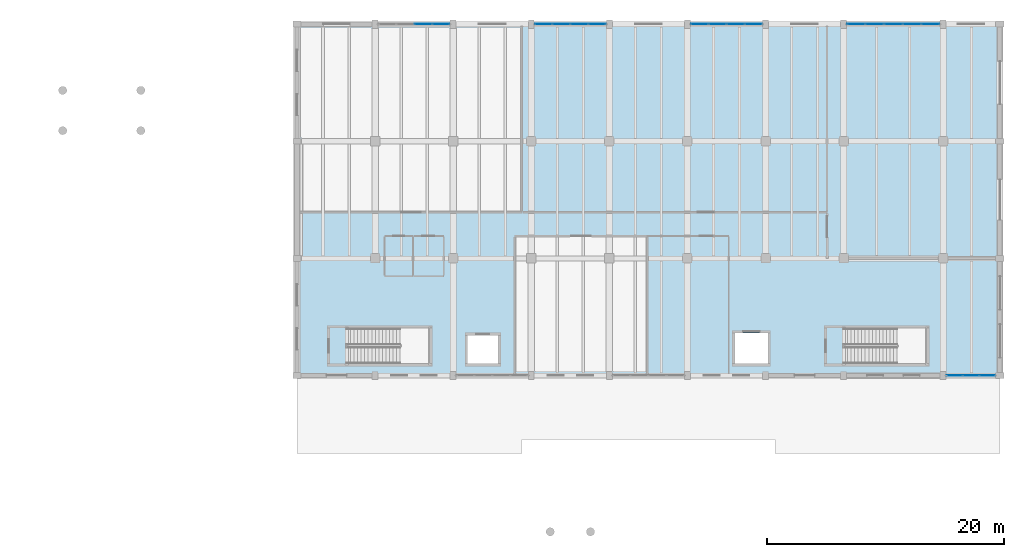
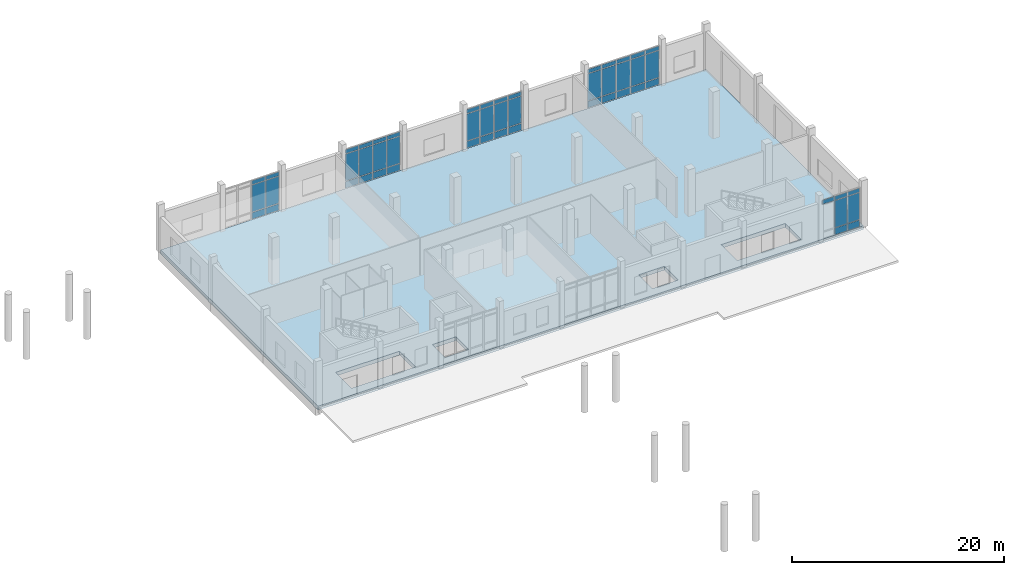
# One storey, part 38 of 72: 52 plates, 1 slab, 5 elements without a shape of their own.
"""IFC4 building model written with IfcOpenShell, lengths in metres."""

from ifc_helpers import new_model, si_unit, direction, frame, origin, origin_2d, place, context, subcontext, project, spatial, polyline, rectangle, outline, extrude, material, layer, layer_set, type_object, element, aggregate, save


model = new_model("IFC4")

# Units and contexts
model_context = context("Model", 3, precision=1e-05, world=origin(), true_north=direction((0.0, 1.0)))
body_context = subcontext(model_context, "Body", "Model", "MODEL_VIEW")
ifc_project = project(units=[si_unit("LENGTHUNIT", "METRE"), si_unit("AREAUNIT", "SQUARE_METRE"), si_unit("VOLUMEUNIT", "CUBIC_METRE"), si_unit("PLANEANGLEUNIT", "RADIAN"), si_unit("MASSUNIT", "GRAM", prefix="KILO")], contexts=[model_context])

# Site, building, storey
site_placement = place(None, origin())
site = spatial("IfcSite", under=ifc_project, at=site_placement, CompositionType="ELEMENT")
building_placement = place(site_placement, origin())
building = spatial("IfcBuilding", under=site, at=building_placement, Name="Dornvale Research Institute", CompositionType="ELEMENT")
storey_placement = place(building_placement, origin())
storey = spatial("IfcBuildingStorey", under=building, at=storey_placement, Name="L00", CompositionType="ELEMENT", Elevation=0.0)

# Slab
ifc_material_1 = material(Name="Concrete f'c 40 MPa (C32/40)", Category="concrete")
ifc_layer_1 = layer(ifc_material_1, 0.43994140625)
ifc_layer_set_1 = layer_set([ifc_layer_1], Name="Concrete f'c 40 MPa (C32/40)")
slab_type = type_object("IfcSlabType", Name="BaseSlab_RC440", PredefinedType="BASESLAB", material=ifc_layer_set_1)
slab_placement = place(storey_placement, frame((0.0, 0.0, -0.43994140625)))
element("IfcSlab", 1, at=slab_placement, inside=storey, type_object=slab_type, Name="L00 V4 structural base slab", PredefinedType="BASESLAB", context=body_context, shape_type="SweptSolid", body=[
    extrude(outline(polyline([(118.800048828125, 92.39990234375), (178.199951171875, 92.39990234375), (178.199951171875, 122.10009765625), (118.800048828125, 122.10009765625), (118.800048828125, 92.39990234375)]), holes=[polyline([(123.02001953125, 93.39990234375), (130.0, 93.39990234375), (130.0, 96.39990234375), (123.02001953125, 96.39990234375), (123.02001953125, 93.39990234375)]), polyline([(165.02001953125, 93.39990234375), (172.0, 93.39990234375), (172.0, 96.39990234375), (165.02001953125, 96.39990234375), (165.02001953125, 93.39990234375)]), polyline([(133.199951171875, 93.39990234375), (135.800048828125, 93.39990234375), (135.800048828125, 95.800048828125), (133.199951171875, 95.800048828125), (133.199951171875, 93.39990234375)]), polyline([(155.800048828125, 93.39990234375), (158.60009765625, 93.39990234375), (158.60009765625, 96.0), (155.800048828125, 96.0), (155.800048828125, 93.39990234375)])]), origin(), (0.0, 0.0, 1.0), 0.43994140625),
])

# Curtain wall, plates
ifc_material_2 = material(Name="Low-E Argon Double Insulating Glazing Unit", Category="glass")
curtain_wall_type_1 = type_object("IfcCurtainWallType", Name="UnitisedCurtainWall_V4_6100x4550", PredefinedType="USERDEFINED", material=ifc_material_2)
curtain_wall_1_placement = place(storey_placement, origin())
curtain_wall_1 = element("IfcCurtainWall", 2, at=curtain_wall_1_placement, inside=storey, type_object=curtain_wall_type_1, Name="L00 V4 unitised curtain wall CW-08 #66", ObjectType="UNITISED CURTAIN WALL", PredefinedType="USERDEFINED")
ifc_material_3 = material(Name="Insulated Ceramic-Frit Spandrel Glass Panel", Category="glass")
ifc_layer_2 = layer(ifc_material_3, 0.0419921875)
ifc_layer_set_2 = layer_set([ifc_layer_2], Name="Insulated Ceramic-Frit Spandrel Glass Panel")
plate_type_1 = type_object("IfcPlateType", Name="CurtainPanel_Spandrel_42", PredefinedType="CURTAIN_PANEL", material=ifc_layer_set_2)
plate_1_placement = place(storey_placement, frame((129.46240234375, 122.10009765625, 0.06494140625), z_axis=(0.0, 0.0, 1.0), x_axis=(1.0, 0.0, 0.0)))
plate_1 = element("IfcPlate", 3, at=plate_1_placement, type_object=plate_type_1, Name="CW-08 panel 3.1", PredefinedType="CURTAIN_PANEL", context=body_context, shape_type="SweptSolid", body=[
    extrude(rectangle(XDim=1.4599609375, YDim=0.0419921875, at=origin_2d()), origin(), (0.0, 0.0, 1.0), 0.75244140625),
])
plate_2_placement = place(storey_placement, frame((130.97119140625, 122.10009765625, 0.06494140625), z_axis=(0.0, 0.0, 1.0), x_axis=(1.0, 0.0, 0.0)))
plate_2 = element("IfcPlate", 4, at=plate_2_placement, type_object=plate_type_1, Name="CW-08 panel 4.1", PredefinedType="CURTAIN_PANEL", context=body_context, shape_type="SweptSolid", body=[
    extrude(rectangle(XDim=1.427490234375, YDim=0.0419921875, at=origin_2d()), origin(), (0.0, 0.0, 1.0), 0.75244140625),
])

curtain_wall_2_placement = place(storey_placement, origin())
curtain_wall_2 = element("IfcCurtainWall", 5, at=curtain_wall_2_placement, inside=storey, type_object=curtain_wall_type_1, Name="L00 V4 unitised curtain wall CW-08 #67", ObjectType="UNITISED CURTAIN WALL", PredefinedType="USERDEFINED")
plate_3_placement = place(storey_placement, frame((139.628662109375, 122.10009765625, 0.06494140625), z_axis=(0.0, 0.0, 1.0), x_axis=(1.0, 0.0, 0.0)))
plate_3 = element("IfcPlate", 6, at=plate_3_placement, type_object=plate_type_1, Name="CW-08 panel 1.1", PredefinedType="CURTAIN_PANEL", context=body_context, shape_type="SweptSolid", body=[
    extrude(rectangle(XDim=1.427490234375, YDim=0.0419921875, at=origin_2d()), origin(), (0.0, 0.0, 1.0), 0.75244140625),
])
plate_4_placement = place(storey_placement, frame((141.137451171875, 122.10009765625, 0.06494140625), z_axis=(0.0, 0.0, 1.0), x_axis=(1.0, 0.0, 0.0)))
plate_4 = element("IfcPlate", 7, at=plate_4_placement, type_object=plate_type_1, Name="CW-08 panel 2.1", PredefinedType="CURTAIN_PANEL", context=body_context, shape_type="SweptSolid", body=[
    extrude(rectangle(XDim=1.4599609375, YDim=0.0419921875, at=origin_2d()), origin(), (0.0, 0.0, 1.0), 0.75244140625),
])
plate_5_placement = place(storey_placement, frame((142.66259765625, 122.10009765625, 0.06494140625), z_axis=(0.0, 0.0, 1.0), x_axis=(1.0, 0.0, 0.0)))
plate_5 = element("IfcPlate", 8, at=plate_5_placement, type_object=plate_type_1, Name="CW-08 panel 3.1", PredefinedType="CURTAIN_PANEL", context=body_context, shape_type="SweptSolid", body=[
    extrude(rectangle(XDim=1.4599609375, YDim=0.0419921875, at=origin_2d()), origin(), (0.0, 0.0, 1.0), 0.75244140625),
])
plate_6_placement = place(storey_placement, frame((144.171142578125, 122.10009765625, 0.06494140625), z_axis=(0.0, 0.0, 1.0), x_axis=(1.0, 0.0, 0.0)))
plate_6 = element("IfcPlate", 9, at=plate_6_placement, type_object=plate_type_1, Name="CW-08 panel 4.1", PredefinedType="CURTAIN_PANEL", context=body_context, shape_type="SweptSolid", body=[
    extrude(rectangle(XDim=1.427490234375, YDim=0.0419921875, at=origin_2d()), origin(), (0.0, 0.0, 1.0), 0.75244140625),
])

curtain_wall_3_placement = place(storey_placement, origin())
curtain_wall_3 = element("IfcCurtainWall", 10, at=curtain_wall_3_placement, inside=storey, type_object=curtain_wall_type_1, Name="L00 V4 unitised curtain wall CW-08 #68", ObjectType="UNITISED CURTAIN WALL", PredefinedType="USERDEFINED")
plate_7_placement = place(storey_placement, frame((152.828857421875, 122.10009765625, 0.06494140625), z_axis=(0.0, 0.0, 1.0), x_axis=(1.0, 0.0, 0.0)))
plate_7 = element("IfcPlate", 11, at=plate_7_placement, type_object=plate_type_1, Name="CW-08 panel 1.1", PredefinedType="CURTAIN_PANEL", context=body_context, shape_type="SweptSolid", body=[
    extrude(rectangle(XDim=1.427490234375, YDim=0.0419921875, at=origin_2d()), origin(), (0.0, 0.0, 1.0), 0.75244140625),
])
plate_8_placement = place(storey_placement, frame((154.33740234375, 122.10009765625, 0.06494140625), z_axis=(0.0, 0.0, 1.0), x_axis=(1.0, 0.0, 0.0)))
plate_8 = element("IfcPlate", 12, at=plate_8_placement, type_object=plate_type_1, Name="CW-08 panel 2.1", PredefinedType="CURTAIN_PANEL", context=body_context, shape_type="SweptSolid", body=[
    extrude(rectangle(XDim=1.4599609375, YDim=0.0419921875, at=origin_2d()), origin(), (0.0, 0.0, 1.0), 0.75244140625),
])
plate_9_placement = place(storey_placement, frame((155.862548828125, 122.10009765625, 0.06494140625), z_axis=(0.0, 0.0, 1.0), x_axis=(1.0, 0.0, 0.0)))
plate_9 = element("IfcPlate", 13, at=plate_9_placement, type_object=plate_type_1, Name="CW-08 panel 3.1", PredefinedType="CURTAIN_PANEL", context=body_context, shape_type="SweptSolid", body=[
    extrude(rectangle(XDim=1.4599609375, YDim=0.0419921875, at=origin_2d()), origin(), (0.0, 0.0, 1.0), 0.75244140625),
])
plate_10_placement = place(storey_placement, frame((157.371337890625, 122.10009765625, 0.06494140625), z_axis=(0.0, 0.0, 1.0), x_axis=(1.0, 0.0, 0.0)))
plate_10 = element("IfcPlate", 14, at=plate_10_placement, type_object=plate_type_1, Name="CW-08 panel 4.1", PredefinedType="CURTAIN_PANEL", context=body_context, shape_type="SweptSolid", body=[
    extrude(rectangle(XDim=1.427490234375, YDim=0.0419921875, at=origin_2d()), origin(), (0.0, 0.0, 1.0), 0.75244140625),
])

ifc_material_4 = material(Name="Low-E Argon Double Insulating Glazing Unit", Category="glass")
curtain_wall_type_2 = type_object("IfcCurtainWallType", Name="UnitisedCurtainWall_V4_7900x4550", PredefinedType="USERDEFINED", material=ifc_material_4)
curtain_wall_4_placement = place(storey_placement, origin())
curtain_wall_4 = element("IfcCurtainWall", 15, at=curtain_wall_4_placement, inside=storey, type_object=curtain_wall_type_2, Name="L00 V4 unitised curtain wall CW-09 #69", ObjectType="UNITISED CURTAIN WALL", PredefinedType="USERDEFINED")
plate_11_placement = place(storey_placement, frame((166.05615234375, 122.10009765625, 0.06494140625), z_axis=(0.0, 0.0, 1.0), x_axis=(1.0, 0.0, 0.0)))
plate_11 = element("IfcPlate", 16, at=plate_11_placement, type_object=plate_type_1, Name="CW-09 panel 1.1", PredefinedType="CURTAIN_PANEL", context=body_context, shape_type="SweptSolid", body=[
    extrude(rectangle(XDim=1.482421875, YDim=0.0419921875, at=origin_2d()), origin(), (0.0, 0.0, 1.0), 0.75244140625),
])
plate_12_placement = place(storey_placement, frame((167.6201171875, 122.10009765625, 0.06494140625), z_axis=(0.0, 0.0, 1.0), x_axis=(1.0, 0.0, 0.0)))
plate_12 = element("IfcPlate", 17, at=plate_12_placement, type_object=plate_type_1, Name="CW-09 panel 2.1", PredefinedType="CURTAIN_PANEL", context=body_context, shape_type="SweptSolid", body=[
    extrude(rectangle(XDim=1.514892578125, YDim=0.0419921875, at=origin_2d()), origin(), (0.0, 0.0, 1.0), 0.75244140625),
])
plate_13_placement = place(storey_placement, frame((169.199951171875, 122.10009765625, 0.06494140625), z_axis=(0.0, 0.0, 1.0), x_axis=(1.0, 0.0, 0.0)))
plate_13 = element("IfcPlate", 18, at=plate_13_placement, type_object=plate_type_1, Name="CW-09 panel 3.1", PredefinedType="CURTAIN_PANEL", context=body_context, shape_type="SweptSolid", body=[
    extrude(rectangle(XDim=1.514892578125, YDim=0.0419921875, at=origin_2d()), origin(), (0.0, 0.0, 1.0), 0.75244140625),
])
plate_14_placement = place(storey_placement, frame((170.780029296875, 122.10009765625, 0.06494140625), z_axis=(0.0, 0.0, 1.0), x_axis=(1.0, 0.0, 0.0)))
plate_14 = element("IfcPlate", 19, at=plate_14_placement, type_object=plate_type_1, Name="CW-09 panel 4.1", PredefinedType="CURTAIN_PANEL", context=body_context, shape_type="SweptSolid", body=[
    extrude(rectangle(XDim=1.514892578125, YDim=0.0419921875, at=origin_2d()), origin(), (0.0, 0.0, 1.0), 0.75244140625),
])
plate_15_placement = place(storey_placement, frame((172.34375, 122.10009765625, 0.06494140625), z_axis=(0.0, 0.0, 1.0), x_axis=(1.0, 0.0, 0.0)))
plate_15 = element("IfcPlate", 20, at=plate_15_placement, type_object=plate_type_1, Name="CW-09 panel 5.1", PredefinedType="CURTAIN_PANEL", context=body_context, shape_type="SweptSolid", body=[
    extrude(rectangle(XDim=1.482421875, YDim=0.0419921875, at=origin_2d()), origin(), (0.0, 0.0, 1.0), 0.75244140625),
])

ifc_material_5 = material(Name="Low-E Argon Double Insulating Glazing Unit", Category="glass")
curtain_wall_type_3 = type_object("IfcCurtainWallType", Name="UnitisedCurtainWall_V4_4200x4550", PredefinedType="USERDEFINED", material=ifc_material_5)
curtain_wall_5_placement = place(storey_placement, origin())
curtain_wall_5 = element("IfcCurtainWall", 21, at=curtain_wall_5_placement, inside=storey, type_object=curtain_wall_type_3, Name="L00 V4 unitised curtain wall CW-10 #70", ObjectType="UNITISED CURTAIN WALL", PredefinedType="USERDEFINED")
plate_16_placement = place(storey_placement, frame((177.1337890625, 92.39990234375, 0.06494140625), z_axis=(0.0, 0.0, 1.0), x_axis=(-1.0, 0.0, 0.0)))
plate_16 = element("IfcPlate", 22, at=plate_16_placement, type_object=plate_type_1, Name="CW-10 panel 1.1", PredefinedType="CURTAIN_PANEL", context=body_context, shape_type="SweptSolid", body=[
    extrude(rectangle(XDim=1.302490234375, YDim=0.0419921875, at=origin_2d()), origin(), (0.0, 0.0, 1.0), 0.75244140625),
])
plate_17_placement = place(storey_placement, frame((175.75, 92.39990234375, 0.06494140625), z_axis=(0.0, 0.0, 1.0), x_axis=(-1.0, 0.0, 0.0)))
plate_17 = element("IfcPlate", 23, at=plate_17_placement, type_object=plate_type_1, Name="CW-10 panel 2.1", PredefinedType="CURTAIN_PANEL", context=body_context, shape_type="SweptSolid", body=[
    extrude(rectangle(XDim=1.3349609375, YDim=0.0419921875, at=origin_2d()), origin(), (0.0, 0.0, 1.0), 0.75244140625),
])

# Plate
ifc_material_6 = material(Name="Low-E Argon Double Insulating Glazing Unit", Category="glass")
ifc_layer_3 = layer(ifc_material_6, 0.028076171875)
ifc_layer_set_3 = layer_set([ifc_layer_3], Name="Low-E Argon Double Insulating Glazing Unit")
plate_type_2 = type_object("IfcPlateType", Name="CurtainPanel_Vision_28", PredefinedType="CURTAIN_PANEL", material=ifc_layer_set_3)
plate_18_placement = place(storey_placement, frame((129.46240234375, 122.10009765625, 0.882568359375), z_axis=(0.0, 0.0, 1.0), x_axis=(1.0, 0.0, 0.0)))
plate_18 = element("IfcPlate", 24, at=plate_18_placement, type_object=plate_type_2, Name="CW-08 panel 3.2", PredefinedType="CURTAIN_PANEL", context=body_context, shape_type="SweptSolid", body=[
    extrude(rectangle(XDim=1.4599609375, YDim=0.028076171875, at=origin_2d()), origin(), (0.0, 0.0, 1.0), 3.0849609375),
])

plate_19_placement = place(storey_placement, frame((129.46240234375, 122.10009765625, 4.03271484375), z_axis=(0.0, 0.0, 1.0), x_axis=(1.0, 0.0, 0.0)))
plate_19 = element("IfcPlate", 25, at=plate_19_placement, type_object=plate_type_2, Name="CW-08 panel 3.3", PredefinedType="CURTAIN_PANEL", context=body_context, shape_type="SweptSolid", body=[
    extrude(rectangle(XDim=1.4599609375, YDim=0.028076171875, at=origin_2d()), origin(), (0.0, 0.0, 1.0), 0.452392578125),
])

plate_20_placement = place(storey_placement, frame((130.97119140625, 122.10009765625, 0.882568359375), z_axis=(0.0, 0.0, 1.0), x_axis=(1.0, 0.0, 0.0)))
plate_20 = element("IfcPlate", 26, at=plate_20_placement, type_object=plate_type_2, Name="CW-08 panel 4.2", PredefinedType="CURTAIN_PANEL", context=body_context, shape_type="SweptSolid", body=[
    extrude(rectangle(XDim=1.427490234375, YDim=0.028076171875, at=origin_2d()), origin(), (0.0, 0.0, 1.0), 3.0849609375),
])

plate_21_placement = place(storey_placement, frame((130.97119140625, 122.10009765625, 4.03271484375), z_axis=(0.0, 0.0, 1.0), x_axis=(1.0, 0.0, 0.0)))
plate_21 = element("IfcPlate", 27, at=plate_21_placement, type_object=plate_type_2, Name="CW-08 panel 4.3", PredefinedType="CURTAIN_PANEL", context=body_context, shape_type="SweptSolid", body=[
    extrude(rectangle(XDim=1.427490234375, YDim=0.028076171875, at=origin_2d()), origin(), (0.0, 0.0, 1.0), 0.452392578125),
])

aggregate(curtain_wall_1, [plate_1, plate_18, plate_19, plate_2, plate_20, plate_21])

plate_22_placement = place(storey_placement, frame((139.628662109375, 122.10009765625, 0.882568359375), z_axis=(0.0, 0.0, 1.0), x_axis=(1.0, 0.0, 0.0)))
plate_22 = element("IfcPlate", 28, at=plate_22_placement, type_object=plate_type_2, Name="CW-08 panel 1.2", PredefinedType="CURTAIN_PANEL", context=body_context, shape_type="SweptSolid", body=[
    extrude(rectangle(XDim=1.427490234375, YDim=0.028076171875, at=origin_2d()), origin(), (0.0, 0.0, 1.0), 3.0849609375),
])

plate_23_placement = place(storey_placement, frame((139.628662109375, 122.10009765625, 4.03271484375), z_axis=(0.0, 0.0, 1.0), x_axis=(1.0, 0.0, 0.0)))
plate_23 = element("IfcPlate", 29, at=plate_23_placement, type_object=plate_type_2, Name="CW-08 panel 1.3", PredefinedType="CURTAIN_PANEL", context=body_context, shape_type="SweptSolid", body=[
    extrude(rectangle(XDim=1.427490234375, YDim=0.028076171875, at=origin_2d()), origin(), (0.0, 0.0, 1.0), 0.452392578125),
])

plate_24_placement = place(storey_placement, frame((141.137451171875, 122.10009765625, 0.882568359375), z_axis=(0.0, 0.0, 1.0), x_axis=(1.0, 0.0, 0.0)))
plate_24 = element("IfcPlate", 30, at=plate_24_placement, type_object=plate_type_2, Name="CW-08 panel 2.2", PredefinedType="CURTAIN_PANEL", context=body_context, shape_type="SweptSolid", body=[
    extrude(rectangle(XDim=1.4599609375, YDim=0.028076171875, at=origin_2d()), origin(), (0.0, 0.0, 1.0), 3.0849609375),
])

plate_25_placement = place(storey_placement, frame((141.137451171875, 122.10009765625, 4.03271484375), z_axis=(0.0, 0.0, 1.0), x_axis=(1.0, 0.0, 0.0)))
plate_25 = element("IfcPlate", 31, at=plate_25_placement, type_object=plate_type_2, Name="CW-08 panel 2.3", PredefinedType="CURTAIN_PANEL", context=body_context, shape_type="SweptSolid", body=[
    extrude(rectangle(XDim=1.4599609375, YDim=0.028076171875, at=origin_2d()), origin(), (0.0, 0.0, 1.0), 0.452392578125),
])

plate_26_placement = place(storey_placement, frame((142.66259765625, 122.10009765625, 0.882568359375), z_axis=(0.0, 0.0, 1.0), x_axis=(1.0, 0.0, 0.0)))
plate_26 = element("IfcPlate", 32, at=plate_26_placement, type_object=plate_type_2, Name="CW-08 panel 3.2", PredefinedType="CURTAIN_PANEL", context=body_context, shape_type="SweptSolid", body=[
    extrude(rectangle(XDim=1.4599609375, YDim=0.028076171875, at=origin_2d()), origin(), (0.0, 0.0, 1.0), 3.0849609375),
])

plate_27_placement = place(storey_placement, frame((142.66259765625, 122.10009765625, 4.03271484375), z_axis=(0.0, 0.0, 1.0), x_axis=(1.0, 0.0, 0.0)))
plate_27 = element("IfcPlate", 33, at=plate_27_placement, type_object=plate_type_2, Name="CW-08 panel 3.3", PredefinedType="CURTAIN_PANEL", context=body_context, shape_type="SweptSolid", body=[
    extrude(rectangle(XDim=1.4599609375, YDim=0.028076171875, at=origin_2d()), origin(), (0.0, 0.0, 1.0), 0.452392578125),
])

plate_28_placement = place(storey_placement, frame((144.171142578125, 122.10009765625, 0.882568359375), z_axis=(0.0, 0.0, 1.0), x_axis=(1.0, 0.0, 0.0)))
plate_28 = element("IfcPlate", 34, at=plate_28_placement, type_object=plate_type_2, Name="CW-08 panel 4.2", PredefinedType="CURTAIN_PANEL", context=body_context, shape_type="SweptSolid", body=[
    extrude(rectangle(XDim=1.427490234375, YDim=0.028076171875, at=origin_2d()), origin(), (0.0, 0.0, 1.0), 3.0849609375),
])

plate_29_placement = place(storey_placement, frame((144.171142578125, 122.10009765625, 4.03271484375), z_axis=(0.0, 0.0, 1.0), x_axis=(1.0, 0.0, 0.0)))
plate_29 = element("IfcPlate", 35, at=plate_29_placement, type_object=plate_type_2, Name="CW-08 panel 4.3", PredefinedType="CURTAIN_PANEL", context=body_context, shape_type="SweptSolid", body=[
    extrude(rectangle(XDim=1.427490234375, YDim=0.028076171875, at=origin_2d()), origin(), (0.0, 0.0, 1.0), 0.452392578125),
])

aggregate(curtain_wall_2, [plate_3, plate_22, plate_23, plate_4, plate_24, plate_25, plate_5, plate_26, plate_27, plate_6, plate_28, plate_29])

plate_30_placement = place(storey_placement, frame((152.828857421875, 122.10009765625, 0.882568359375), z_axis=(0.0, 0.0, 1.0), x_axis=(1.0, 0.0, 0.0)))
plate_30 = element("IfcPlate", 36, at=plate_30_placement, type_object=plate_type_2, Name="CW-08 panel 1.2", PredefinedType="CURTAIN_PANEL", context=body_context, shape_type="SweptSolid", body=[
    extrude(rectangle(XDim=1.427490234375, YDim=0.028076171875, at=origin_2d()), origin(), (0.0, 0.0, 1.0), 3.0849609375),
])

plate_31_placement = place(storey_placement, frame((152.828857421875, 122.10009765625, 4.03271484375), z_axis=(0.0, 0.0, 1.0), x_axis=(1.0, 0.0, 0.0)))
plate_31 = element("IfcPlate", 37, at=plate_31_placement, type_object=plate_type_2, Name="CW-08 panel 1.3", PredefinedType="CURTAIN_PANEL", context=body_context, shape_type="SweptSolid", body=[
    extrude(rectangle(XDim=1.427490234375, YDim=0.028076171875, at=origin_2d()), origin(), (0.0, 0.0, 1.0), 0.452392578125),
])

plate_32_placement = place(storey_placement, frame((154.33740234375, 122.10009765625, 0.882568359375), z_axis=(0.0, 0.0, 1.0), x_axis=(1.0, 0.0, 0.0)))
plate_32 = element("IfcPlate", 38, at=plate_32_placement, type_object=plate_type_2, Name="CW-08 panel 2.2", PredefinedType="CURTAIN_PANEL", context=body_context, shape_type="SweptSolid", body=[
    extrude(rectangle(XDim=1.4599609375, YDim=0.028076171875, at=origin_2d()), origin(), (0.0, 0.0, 1.0), 3.0849609375),
])

plate_33_placement = place(storey_placement, frame((154.33740234375, 122.10009765625, 4.03271484375), z_axis=(0.0, 0.0, 1.0), x_axis=(1.0, 0.0, 0.0)))
plate_33 = element("IfcPlate", 39, at=plate_33_placement, type_object=plate_type_2, Name="CW-08 panel 2.3", PredefinedType="CURTAIN_PANEL", context=body_context, shape_type="SweptSolid", body=[
    extrude(rectangle(XDim=1.4599609375, YDim=0.028076171875, at=origin_2d()), origin(), (0.0, 0.0, 1.0), 0.452392578125),
])

plate_34_placement = place(storey_placement, frame((155.862548828125, 122.10009765625, 0.882568359375), z_axis=(0.0, 0.0, 1.0), x_axis=(1.0, 0.0, 0.0)))
plate_34 = element("IfcPlate", 40, at=plate_34_placement, type_object=plate_type_2, Name="CW-08 panel 3.2", PredefinedType="CURTAIN_PANEL", context=body_context, shape_type="SweptSolid", body=[
    extrude(rectangle(XDim=1.4599609375, YDim=0.028076171875, at=origin_2d()), origin(), (0.0, 0.0, 1.0), 3.0849609375),
])

plate_35_placement = place(storey_placement, frame((155.862548828125, 122.10009765625, 4.03271484375), z_axis=(0.0, 0.0, 1.0), x_axis=(1.0, 0.0, 0.0)))
plate_35 = element("IfcPlate", 41, at=plate_35_placement, type_object=plate_type_2, Name="CW-08 panel 3.3", PredefinedType="CURTAIN_PANEL", context=body_context, shape_type="SweptSolid", body=[
    extrude(rectangle(XDim=1.4599609375, YDim=0.028076171875, at=origin_2d()), origin(), (0.0, 0.0, 1.0), 0.452392578125),
])

plate_36_placement = place(storey_placement, frame((157.371337890625, 122.10009765625, 0.882568359375), z_axis=(0.0, 0.0, 1.0), x_axis=(1.0, 0.0, 0.0)))
plate_36 = element("IfcPlate", 42, at=plate_36_placement, type_object=plate_type_2, Name="CW-08 panel 4.2", PredefinedType="CURTAIN_PANEL", context=body_context, shape_type="SweptSolid", body=[
    extrude(rectangle(XDim=1.427490234375, YDim=0.028076171875, at=origin_2d()), origin(), (0.0, 0.0, 1.0), 3.0849609375),
])

plate_37_placement = place(storey_placement, frame((157.371337890625, 122.10009765625, 4.03271484375), z_axis=(0.0, 0.0, 1.0), x_axis=(1.0, 0.0, 0.0)))
plate_37 = element("IfcPlate", 43, at=plate_37_placement, type_object=plate_type_2, Name="CW-08 panel 4.3", PredefinedType="CURTAIN_PANEL", context=body_context, shape_type="SweptSolid", body=[
    extrude(rectangle(XDim=1.427490234375, YDim=0.028076171875, at=origin_2d()), origin(), (0.0, 0.0, 1.0), 0.452392578125),
])

aggregate(curtain_wall_3, [plate_7, plate_30, plate_31, plate_8, plate_32, plate_33, plate_9, plate_34, plate_35, plate_10, plate_36, plate_37])

plate_38_placement = place(storey_placement, frame((166.05615234375, 122.10009765625, 0.882568359375), z_axis=(0.0, 0.0, 1.0), x_axis=(1.0, 0.0, 0.0)))
plate_38 = element("IfcPlate", 44, at=plate_38_placement, type_object=plate_type_2, Name="CW-09 panel 1.2", PredefinedType="CURTAIN_PANEL", context=body_context, shape_type="SweptSolid", body=[
    extrude(rectangle(XDim=1.482421875, YDim=0.028076171875, at=origin_2d()), origin(), (0.0, 0.0, 1.0), 3.0849609375),
])

plate_39_placement = place(storey_placement, frame((166.05615234375, 122.10009765625, 4.03271484375), z_axis=(0.0, 0.0, 1.0), x_axis=(1.0, 0.0, 0.0)))
plate_39 = element("IfcPlate", 45, at=plate_39_placement, type_object=plate_type_2, Name="CW-09 panel 1.3", PredefinedType="CURTAIN_PANEL", context=body_context, shape_type="SweptSolid", body=[
    extrude(rectangle(XDim=1.482421875, YDim=0.028076171875, at=origin_2d()), origin(), (0.0, 0.0, 1.0), 0.452392578125),
])

plate_40_placement = place(storey_placement, frame((167.6201171875, 122.10009765625, 0.882568359375), z_axis=(0.0, 0.0, 1.0), x_axis=(1.0, 0.0, 0.0)))
plate_40 = element("IfcPlate", 46, at=plate_40_placement, type_object=plate_type_2, Name="CW-09 panel 2.2", PredefinedType="CURTAIN_PANEL", context=body_context, shape_type="SweptSolid", body=[
    extrude(rectangle(XDim=1.514892578125, YDim=0.028076171875, at=origin_2d()), origin(), (0.0, 0.0, 1.0), 3.0849609375),
])

plate_41_placement = place(storey_placement, frame((167.6201171875, 122.10009765625, 4.03271484375), z_axis=(0.0, 0.0, 1.0), x_axis=(1.0, 0.0, 0.0)))
plate_41 = element("IfcPlate", 47, at=plate_41_placement, type_object=plate_type_2, Name="CW-09 panel 2.3", PredefinedType="CURTAIN_PANEL", context=body_context, shape_type="SweptSolid", body=[
    extrude(rectangle(XDim=1.514892578125, YDim=0.028076171875, at=origin_2d()), origin(), (0.0, 0.0, 1.0), 0.452392578125),
])

plate_42_placement = place(storey_placement, frame((169.199951171875, 122.10009765625, 0.882568359375), z_axis=(0.0, 0.0, 1.0), x_axis=(1.0, 0.0, 0.0)))
plate_42 = element("IfcPlate", 48, at=plate_42_placement, type_object=plate_type_2, Name="CW-09 panel 3.2", PredefinedType="CURTAIN_PANEL", context=body_context, shape_type="SweptSolid", body=[
    extrude(rectangle(XDim=1.514892578125, YDim=0.028076171875, at=origin_2d()), origin(), (0.0, 0.0, 1.0), 3.0849609375),
])

plate_43_placement = place(storey_placement, frame((169.199951171875, 122.10009765625, 4.03271484375), z_axis=(0.0, 0.0, 1.0), x_axis=(1.0, 0.0, 0.0)))
plate_43 = element("IfcPlate", 49, at=plate_43_placement, type_object=plate_type_2, Name="CW-09 panel 3.3", PredefinedType="CURTAIN_PANEL", context=body_context, shape_type="SweptSolid", body=[
    extrude(rectangle(XDim=1.514892578125, YDim=0.028076171875, at=origin_2d()), origin(), (0.0, 0.0, 1.0), 0.452392578125),
])

plate_44_placement = place(storey_placement, frame((170.780029296875, 122.10009765625, 0.882568359375), z_axis=(0.0, 0.0, 1.0), x_axis=(1.0, 0.0, 0.0)))
plate_44 = element("IfcPlate", 50, at=plate_44_placement, type_object=plate_type_2, Name="CW-09 panel 4.2", PredefinedType="CURTAIN_PANEL", context=body_context, shape_type="SweptSolid", body=[
    extrude(rectangle(XDim=1.514892578125, YDim=0.028076171875, at=origin_2d()), origin(), (0.0, 0.0, 1.0), 3.0849609375),
])

plate_45_placement = place(storey_placement, frame((170.780029296875, 122.10009765625, 4.03271484375), z_axis=(0.0, 0.0, 1.0), x_axis=(1.0, 0.0, 0.0)))
plate_45 = element("IfcPlate", 51, at=plate_45_placement, type_object=plate_type_2, Name="CW-09 panel 4.3", PredefinedType="CURTAIN_PANEL", context=body_context, shape_type="SweptSolid", body=[
    extrude(rectangle(XDim=1.514892578125, YDim=0.028076171875, at=origin_2d()), origin(), (0.0, 0.0, 1.0), 0.452392578125),
])

plate_46_placement = place(storey_placement, frame((172.34375, 122.10009765625, 0.882568359375), z_axis=(0.0, 0.0, 1.0), x_axis=(1.0, 0.0, 0.0)))
plate_46 = element("IfcPlate", 52, at=plate_46_placement, type_object=plate_type_2, Name="CW-09 panel 5.2", PredefinedType="CURTAIN_PANEL", context=body_context, shape_type="SweptSolid", body=[
    extrude(rectangle(XDim=1.482421875, YDim=0.028076171875, at=origin_2d()), origin(), (0.0, 0.0, 1.0), 3.0849609375),
])

plate_47_placement = place(storey_placement, frame((172.34375, 122.10009765625, 4.03271484375), z_axis=(0.0, 0.0, 1.0), x_axis=(1.0, 0.0, 0.0)))
plate_47 = element("IfcPlate", 53, at=plate_47_placement, type_object=plate_type_2, Name="CW-09 panel 5.3", PredefinedType="CURTAIN_PANEL", context=body_context, shape_type="SweptSolid", body=[
    extrude(rectangle(XDim=1.482421875, YDim=0.028076171875, at=origin_2d()), origin(), (0.0, 0.0, 1.0), 0.452392578125),
])

aggregate(curtain_wall_4, [plate_11, plate_38, plate_39, plate_12, plate_40, plate_41, plate_13, plate_42, plate_43, plate_14, plate_44, plate_45, plate_15, plate_46, plate_47])

plate_48_placement = place(storey_placement, frame((177.1337890625, 92.39990234375, 0.882568359375), z_axis=(0.0, 0.0, 1.0), x_axis=(-1.0, 0.0, 0.0)))
plate_48 = element("IfcPlate", 54, at=plate_48_placement, type_object=plate_type_2, Name="CW-10 panel 1.2", PredefinedType="CURTAIN_PANEL", context=body_context, shape_type="SweptSolid", body=[
    extrude(rectangle(XDim=1.302490234375, YDim=0.028076171875, at=origin_2d()), origin(), (0.0, 0.0, 1.0), 3.0849609375),
])

plate_49_placement = place(storey_placement, frame((177.1337890625, 92.39990234375, 4.03271484375), z_axis=(0.0, 0.0, 1.0), x_axis=(-1.0, 0.0, 0.0)))
plate_49 = element("IfcPlate", 55, at=plate_49_placement, type_object=plate_type_2, Name="CW-10 panel 1.3", PredefinedType="CURTAIN_PANEL", context=body_context, shape_type="SweptSolid", body=[
    extrude(rectangle(XDim=1.302490234375, YDim=0.028076171875, at=origin_2d()), origin(), (0.0, 0.0, 1.0), 0.452392578125),
])

plate_50_placement = place(storey_placement, frame((175.75, 92.39990234375, 0.882568359375), z_axis=(0.0, 0.0, 1.0), x_axis=(-1.0, 0.0, 0.0)))
plate_50 = element("IfcPlate", 56, at=plate_50_placement, type_object=plate_type_2, Name="CW-10 panel 2.2", PredefinedType="CURTAIN_PANEL", context=body_context, shape_type="SweptSolid", body=[
    extrude(rectangle(XDim=1.3349609375, YDim=0.028076171875, at=origin_2d()), origin(), (0.0, 0.0, 1.0), 3.0849609375),
])

plate_51_placement = place(storey_placement, frame((175.75, 92.39990234375, 4.03271484375), z_axis=(0.0, 0.0, 1.0), x_axis=(-1.0, 0.0, 0.0)))
plate_51 = element("IfcPlate", 57, at=plate_51_placement, type_object=plate_type_2, Name="CW-10 panel 2.3", PredefinedType="CURTAIN_PANEL", context=body_context, shape_type="SweptSolid", body=[
    extrude(rectangle(XDim=1.3349609375, YDim=0.028076171875, at=origin_2d()), origin(), (0.0, 0.0, 1.0), 0.452392578125),
])

plate_52_placement = place(storey_placement, frame((174.3662109375, 92.39990234375, 4.03271484375), z_axis=(0.0, 0.0, 1.0), x_axis=(-1.0, 0.0, 0.0)))
plate_52 = element("IfcPlate", 58, at=plate_52_placement, type_object=plate_type_2, Name="CW-10 panel 3.3", PredefinedType="CURTAIN_PANEL", context=body_context, shape_type="SweptSolid", body=[
    extrude(rectangle(XDim=1.302490234375, YDim=0.028076171875, at=origin_2d()), origin(), (0.0, 0.0, 1.0), 0.452392578125),
])

aggregate(curtain_wall_5, [plate_16, plate_48, plate_49, plate_17, plate_50, plate_51, plate_52])

save(model, "model.ifc")
